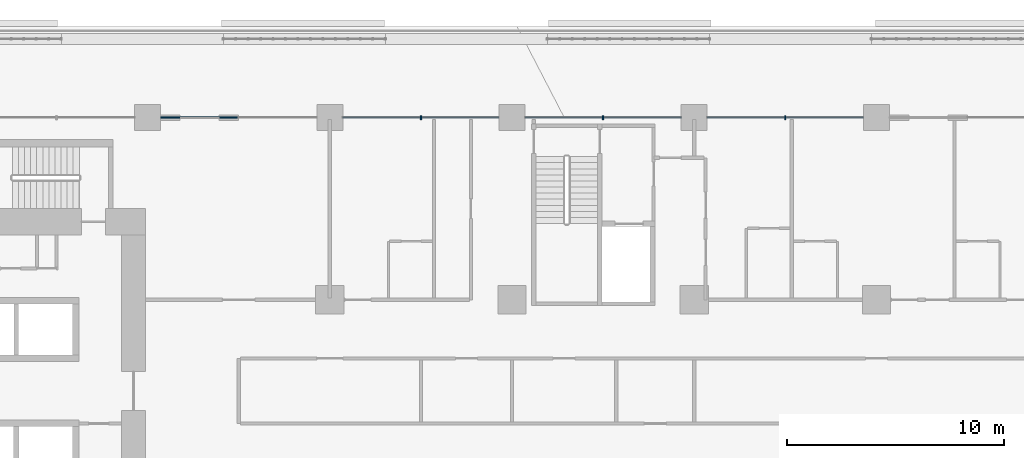
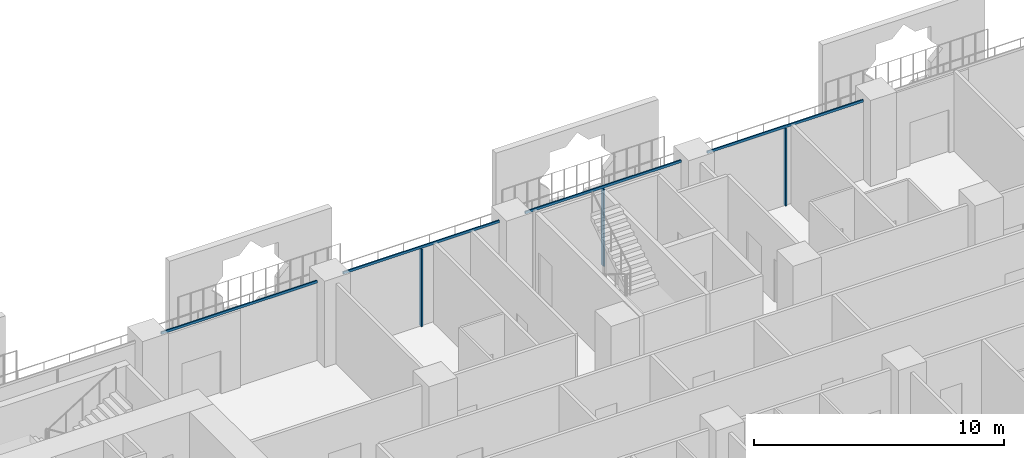
# One storey, part 9 of 27: 7 members, 1 element without a shape of its own.
"""IFC4 building model written with IfcOpenShell, lengths in metres."""

from ifc_helpers import new_model, si_unit, direction, frame, origin, origin_2d, place, context, subcontext, project, spatial, rectangle, extrude, material, layer, layer_set, material_profile, profile_set, type_object, element, aggregate, save


model = new_model("IFC4")

# Units and contexts
model_context = context("Model", 3, precision=1e-05, world=origin(), true_north=direction((0.0, 1.0)))
body_context = subcontext(model_context, "Body", "Model", "MODEL_VIEW")
ifc_project = project(units=[si_unit("LENGTHUNIT", "METRE"), si_unit("AREAUNIT", "SQUARE_METRE"), si_unit("VOLUMEUNIT", "CUBIC_METRE"), si_unit("PLANEANGLEUNIT", "RADIAN"), si_unit("MASSUNIT", "GRAM", prefix="KILO")], contexts=[model_context])

# Site, building, storey
site_placement = place(None, origin())
site = spatial("IfcSite", under=ifc_project, at=site_placement, CompositionType="ELEMENT")
building_placement = place(site_placement, origin())
building = spatial("IfcBuilding", under=site, at=building_placement, Name="Kawkab Arch Medical Tower", CompositionType="ELEMENT")
storey_placement = place(building_placement, frame((0.0, 0.0, 85.39990234375)))
storey = spatial("IfcBuildingStorey", under=building, at=storey_placement, Name="L19", CompositionType="ELEMENT", Elevation=85.39990234375)

# Curtain wall, members
ifc_material_1 = material(Name="Bronze anodised aluminium curtain wall frame", Category="aluminium")
ifc_layer = layer(ifc_material_1, 0.159912109375)
ifc_layer_set = layer_set([ifc_layer], Name="Bronze anodised aluminium curtain wall frame")
curtain_wall_type = type_object("IfcCurtainWallType", Name="CW1 ward curtain wall", PredefinedType="NOTDEFINED", material=ifc_layer_set)
curtain_wall_placement = place(storey_placement, origin())
curtain_wall = element("IfcCurtainWall", 1, at=curtain_wall_placement, inside=storey, type_object=curtain_wall_type, Name="CW1 Ward curtain wall R11", PredefinedType="NOTDEFINED")
ifc_material_2 = material(Name="Bronze anodised aluminium curtain wall frame", Category="aluminium")
ifc_material_profile_1 = material_profile(ifc_material_2, rectangle(XDim=0.179931640625, YDim=0.06005859375, at=origin_2d()), Name="AL 60x180")
ifc_profile_set_1 = profile_set([ifc_material_profile_1], Name="Bronze anodised aluminium curtain wall frame")
member_type_1 = type_object("IfcMemberType", Name="CW1 mullion 60 x 180", PredefinedType="MULLION", material=ifc_profile_set_1)
member_1_placement = place(storey_placement, frame((54.60009765625, 0.0, 0.0), z_axis=(0.0, 0.0, 1.0), x_axis=(0.0, -1.0, 0.0)))
member_1 = element("IfcMember", 2, at=member_1_placement, type_object=member_type_1, Name="CW1 mullion 3.1", PredefinedType="MULLION", context=body_context, shape_type="SweptSolid", body=[
    extrude(rectangle(XDim=0.179931640625, YDim=0.06005859375, at=origin_2d()), origin(), (0.0, 0.0, 1.0), 3.780029296875),
])
member_2_placement = place(storey_placement, frame((46.199951171875, 0.0, 0.0), z_axis=(0.0, 0.0, 1.0), x_axis=(0.0, -1.0, 0.0)))
member_2 = element("IfcMember", 3, at=member_2_placement, type_object=member_type_1, Name="CW1 mullion 4.1", PredefinedType="MULLION", context=body_context, shape_type="SweptSolid", body=[
    extrude(rectangle(XDim=0.179931640625, YDim=0.06005859375, at=origin_2d()), origin(), (0.0, 0.0, 1.0), 3.780029296875),
])
member_3_placement = place(storey_placement, frame((37.800048828125, 0.0, 0.0), z_axis=(0.0, 0.0, 1.0), x_axis=(0.0, -1.0, 0.0)))
member_3 = element("IfcMember", 4, at=member_3_placement, type_object=member_type_1, Name="CW1 mullion 5.1", PredefinedType="MULLION", context=body_context, shape_type="SweptSolid", body=[
    extrude(rectangle(XDim=0.179931640625, YDim=0.06005859375, at=origin_2d()), origin(), (0.0, 0.0, 1.0), 3.780029296875),
])
ifc_material_3 = material(Name="Bronze anodised aluminium curtain wall frame", Category="aluminium")
ifc_material_profile_2 = material_profile(ifc_material_3, rectangle(XDim=0.06005859375, YDim=0.1201171875, at=origin_2d()), Name="AL 60x120")
ifc_profile_set_2 = profile_set([ifc_material_profile_2], Name="Bronze anodised aluminium curtain wall frame")
member_type_2 = type_object("IfcMemberType", Name="CW1 transom 120 x 60", PredefinedType="USERDEFINED", material=ifc_profile_set_2)
member_4_placement = place(storey_placement, frame((58.199951171875, 0.0, 3.840087890625), z_axis=(-1.0, 0.0, 0.0), x_axis=(0.0, -1.0, 0.0)))
member_4 = element("IfcMember", 5, at=member_4_placement, type_object=member_type_2, Name="CW1 transom 3", ObjectType="TRANSOM", PredefinedType="USERDEFINED", context=body_context, shape_type="SweptSolid", body=[
    extrude(rectangle(XDim=0.06005859375, YDim=0.1201171875, at=origin_2d()), origin(), (0.0, 0.0, 1.0), 7.199951171875),
])
member_5_placement = place(storey_placement, frame((49.800048828125, 0.0, 3.840087890625), z_axis=(-1.0, 0.0, 0.0), x_axis=(0.0, -1.0, 0.0)))
member_5 = element("IfcMember", 6, at=member_5_placement, type_object=member_type_2, Name="CW1 transom 4", ObjectType="TRANSOM", PredefinedType="USERDEFINED", context=body_context, shape_type="SweptSolid", body=[
    extrude(rectangle(XDim=0.06005859375, YDim=0.1201171875, at=origin_2d()), origin(), (0.0, 0.0, 1.0), 7.199951171875),
])
member_6_placement = place(storey_placement, frame((41.39990234375, 0.0, 3.840087890625), z_axis=(-1.0, 0.0, 0.0), x_axis=(0.0, -1.0, 0.0)))
member_6 = element("IfcMember", 7, at=member_6_placement, type_object=member_type_2, Name="CW1 transom 5", ObjectType="TRANSOM", PredefinedType="USERDEFINED", context=body_context, shape_type="SweptSolid", body=[
    extrude(rectangle(XDim=0.06005859375, YDim=0.1201171875, at=origin_2d()), origin(), (0.0, 0.0, 1.0), 7.199951171875),
])
member_7_placement = place(storey_placement, frame((33.0, 0.0, 3.840087890625), z_axis=(-1.0, 0.0, 0.0), x_axis=(0.0, -1.0, 0.0)))
member_7 = element("IfcMember", 8, at=member_7_placement, type_object=member_type_2, Name="CW1 transom 6", ObjectType="TRANSOM", PredefinedType="USERDEFINED", context=body_context, shape_type="SweptSolid", body=[
    extrude(rectangle(XDim=0.06005859375, YDim=0.1201171875, at=origin_2d()), origin(), (0.0, 0.0, 1.0), 7.199951171875),
])
aggregate(curtain_wall, [member_4, member_1, member_5, member_2, member_6, member_3, member_7])

save(model, "model.ifc")
